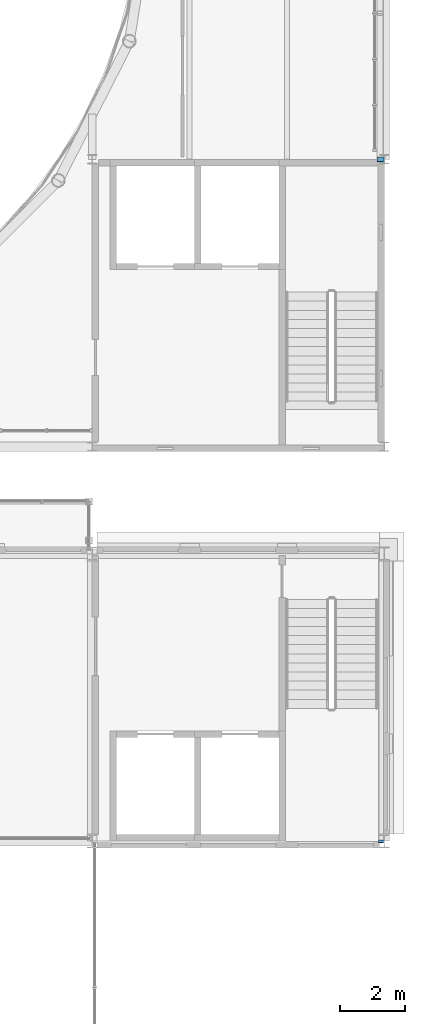
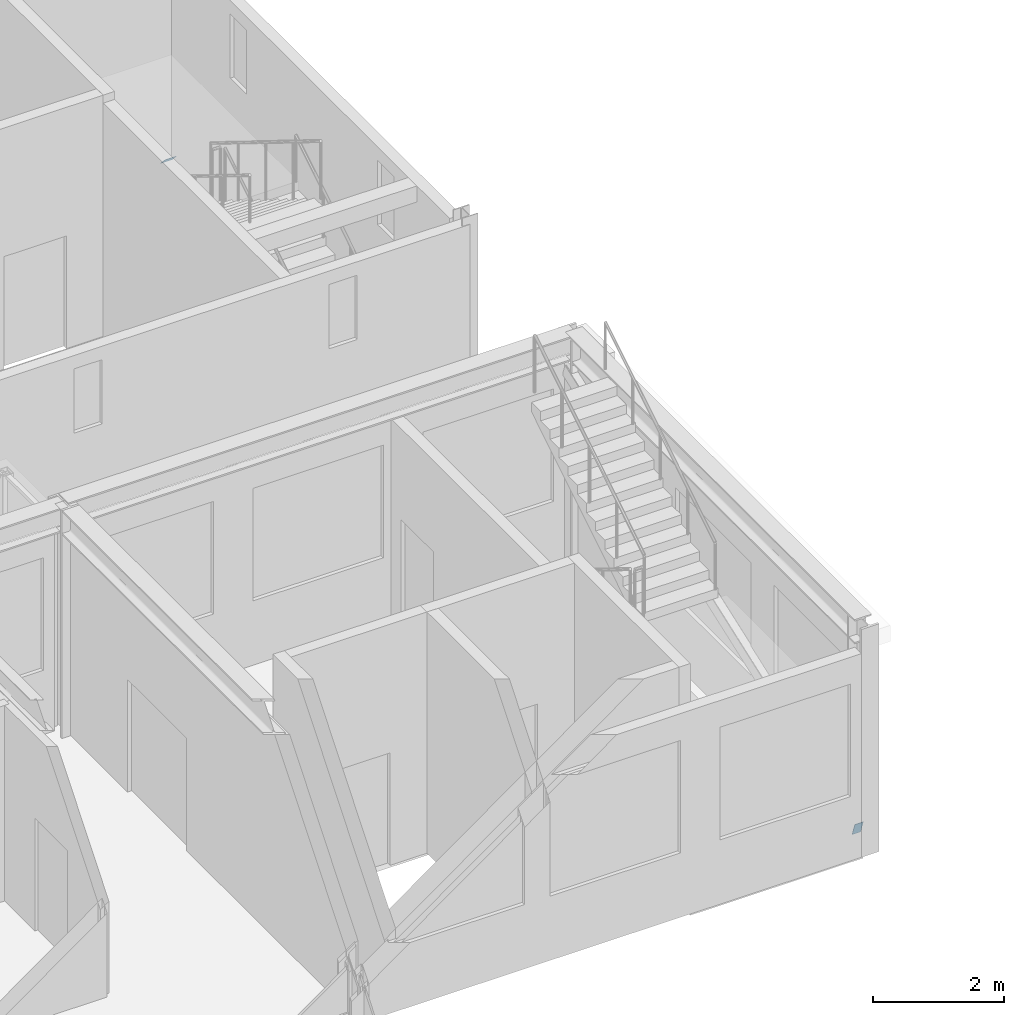
# One storey, part 60 of 70: 2 discrete accessories.
"""IFC4 building model written with IfcOpenShell, lengths in metres."""

from ifc_helpers import new_model, si_unit, direction, frame, origin, origin_2d, place, context, subcontext, project, spatial, rectangle, extrude, material, material_profile, profile_set, type_object, element, save


model = new_model("IFC4")

# Units and contexts
model_context = context("Model", 3, precision=1e-05, world=origin(), true_north=direction((0.0, 1.0)))
body_context = subcontext(model_context, "Body", "Model", "MODEL_VIEW")
ifc_project = project(units=[si_unit("LENGTHUNIT", "METRE"), si_unit("AREAUNIT", "SQUARE_METRE"), si_unit("VOLUMEUNIT", "CUBIC_METRE"), si_unit("PLANEANGLEUNIT", "RADIAN"), si_unit("MASSUNIT", "GRAM", prefix="KILO")], contexts=[model_context])

# Site, building, storey
site_placement = place(None, origin())
site = spatial("IfcSite", under=ifc_project, at=site_placement, CompositionType="ELEMENT")
building_placement = place(site_placement, origin())
building = spatial("IfcBuilding", under=site, at=building_placement, Name="Kallimachos Central Library", CompositionType="ELEMENT")
storey_placement = place(building_placement, frame((0.0, 0.0, 18.89990234375)))
storey = spatial("IfcBuildingStorey", under=building, at=storey_placement, Name="L04", CompositionType="ELEMENT", Elevation=18.89990234375)

# Discrete accessories
ifc_material_1 = material(Name="Steel S355J2", Category="steel")
ifc_material_profile_1 = material_profile(ifc_material_1, rectangle(XDim=0.14990234375, YDim=0.25, at=origin_2d()), Name="End cap plate 10, 150x250")
ifc_profile_set_1 = profile_set([ifc_material_profile_1], Name="Steel S355J2")
discrete_accessory_type_1 = type_object("IfcDiscreteAccessoryType", Name="End cap plate 10, 150x250", PredefinedType="BRACKET", material=ifc_profile_set_1)
discrete_accessory_1_placement = place(storey_placement, frame((110.39990234375, 74.990478515625, 0.396728515625), z_axis=(0.0, 0.941194670762, 0.337864753607), x_axis=(-1.0, 0.0, 0.0)))
element("IfcDiscreteAccessory", 1, at=discrete_accessory_1_placement, inside=storey, type_object=discrete_accessory_type_1, Name="End cap plate", PredefinedType="BRACKET", context=body_context, shape_type="SweptSolid", body=[
    extrude(rectangle(XDim=0.14990234375, YDim=0.25, at=origin_2d()), origin(), (0.0, 0.0, 1.0), 0.010009765625),
])
ifc_material_2 = material(Name="Steel S355J2", Category="steel")
ifc_material_profile_2 = material_profile(ifc_material_2, rectangle(XDim=0.199951171875, YDim=0.199951171875, at=origin_2d()), Name="End cap plate 10, 200x200")
ifc_profile_set_2 = profile_set([ifc_material_profile_2], Name="Steel S355J2")
discrete_accessory_type_2 = type_object("IfcDiscreteAccessoryType", Name="End cap plate 10, 200x200", PredefinedType="BRACKET", material=ifc_profile_set_2)
discrete_accessory_2_placement = place(storey_placement, frame((110.364990234375, 95.99267578125, 0.143310546875), z_axis=(0.0, 0.731055268243, 0.68231825036), x_axis=(-1.0, 0.0, 0.0)))
element("IfcDiscreteAccessory", 2, at=discrete_accessory_2_placement, inside=storey, type_object=discrete_accessory_type_2, Name="End cap plate", PredefinedType="BRACKET", context=body_context, shape_type="SweptSolid", body=[
    extrude(rectangle(XDim=0.199951171875, YDim=0.199951171875, at=origin_2d()), origin(), (0.0, 0.0, 1.0), 0.010009765625),
])

save(model, "model.ifc")
